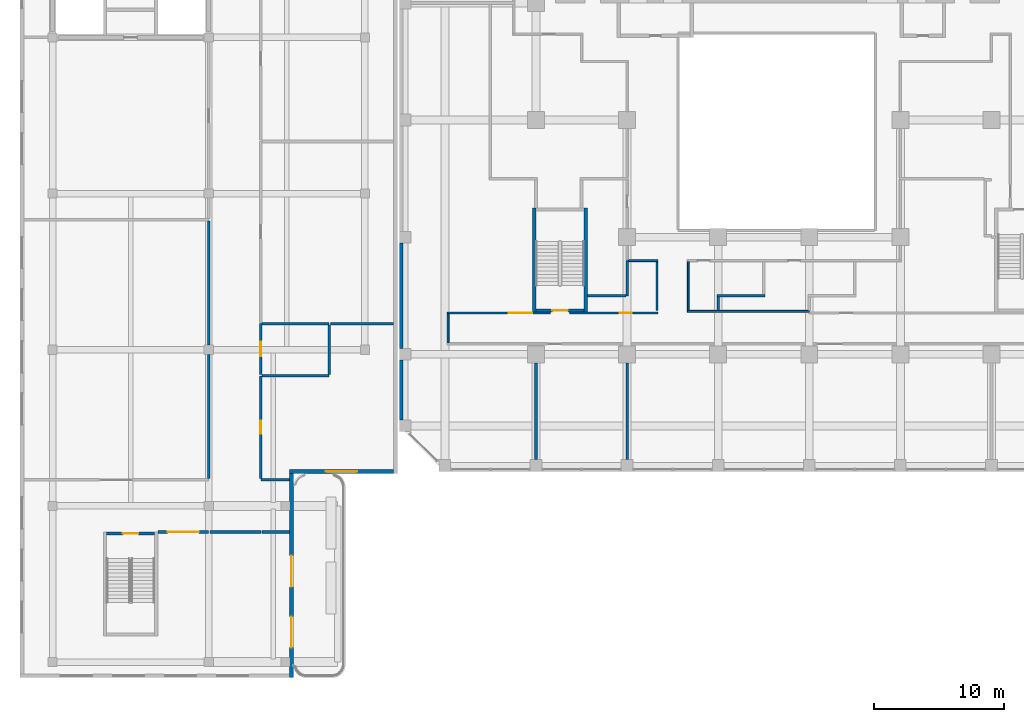
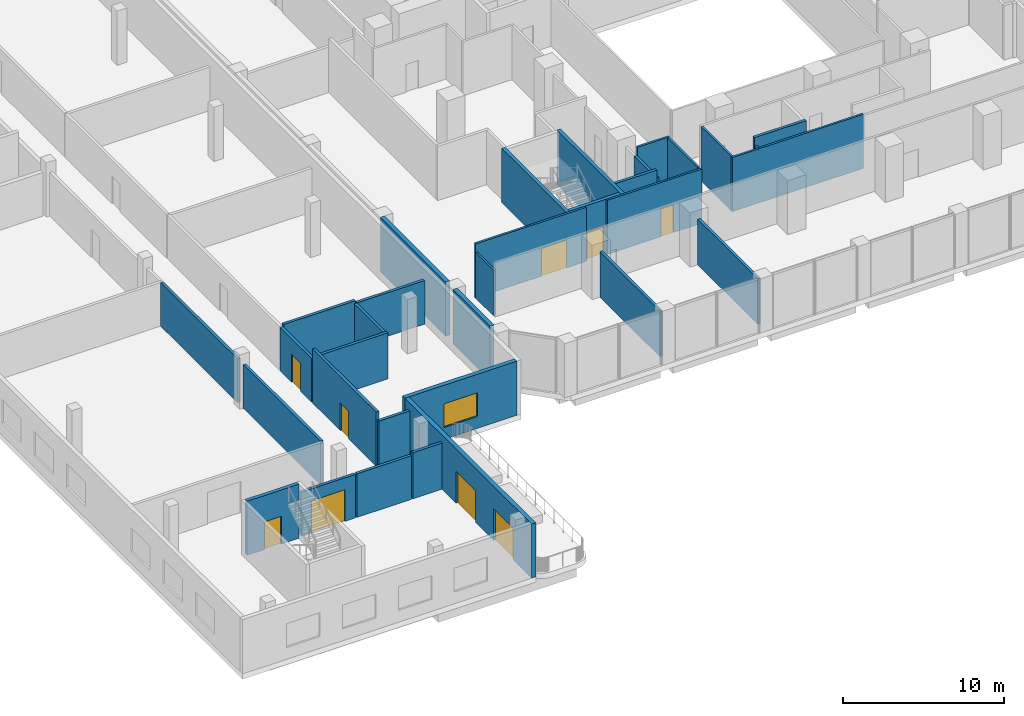
# One storey, part 13 of 36: 33 walls, 9 doors, 1 window, 10 openings.
"""IFC4 building model written with IfcOpenShell, lengths in metres."""

from ifc_helpers import new_model, si_unit, direction, frame, frame_2d, origin, place, context, subcontext, project, spatial, rectangle, extrude, source, transform, mapped, material, layer, layer_set, type_object, element, fill, save


model = new_model("IFC4")

# Units and contexts
model_context = context("Model", 3, precision=1e-05, world=origin(), true_north=direction((0.0, 1.0)))
body_context = subcontext(model_context, "Body", "Model", "MODEL_VIEW")
ifc_project = project(units=[si_unit("LENGTHUNIT", "METRE"), si_unit("AREAUNIT", "SQUARE_METRE"), si_unit("VOLUMEUNIT", "CUBIC_METRE"), si_unit("PLANEANGLEUNIT", "RADIAN"), si_unit("MASSUNIT", "GRAM", prefix="KILO")], contexts=[model_context])

# Site, building, storey
site_placement = place(None, origin())
site = spatial("IfcSite", under=ifc_project, at=site_placement, CompositionType="ELEMENT")
building_placement = place(site_placement, origin())
building = spatial("IfcBuilding", under=site, at=building_placement, Name="Kilnfold Tower and Market Hall", CompositionType="ELEMENT")
storey_placement = place(building_placement, frame((0.0, 0.0, 18.0)))
storey = spatial("IfcBuildingStorey", under=building, at=storey_placement, Name="L03", CompositionType="ELEMENT", Elevation=18.0)

# Wall
ifc_material_1 = material(Name="Gypsum board on steel studs", Category="steel")
ifc_layer_1 = layer(ifc_material_1, 0.14990234375)
ifc_layer_set_1 = layer_set([ifc_layer_1], Name="Gypsum board on steel studs")
wall_type_1 = type_object("IfcWallType", Name="WALL CORRIDOR 150", PredefinedType="PARTITIONING", material=ifc_layer_set_1)
wall_1_placement = place(storey_placement, frame((-24.25, -15.89990234375, 0.0), z_axis=(0.0, 0.0, 1.0), x_axis=(0.0, -1.0, 0.0)))
element("IfcWall", 1, at=wall_1_placement, inside=storey, type_object=wall_type_1, Name="Partition LY04.8", PredefinedType="PARTITIONING", context=body_context, shape_type="SweptSolid", body=[
    extrude(rectangle(XDim=2.22509765625, YDim=0.14990234375, at=frame_2d((1.112548828125, 0.0))), origin(), (0.0, 0.0, 1.0), 3.449951171875),
])

# Wall, opening, door
wall_2_placement = place(storey_placement, frame((-14.89990234375, -15.824951171875, 0.0), z_axis=(0.0, 0.0, 1.0), x_axis=(1.0, 0.0, 0.0)))
wall_2 = element("IfcWall", 2, at=wall_2_placement, inside=storey, type_object=wall_type_1, Name="Partition LY04.9", PredefinedType="PARTITIONING", context=body_context, shape_type="SweptSolid", body=[
    extrude(rectangle(XDim=6.77490234375, YDim=0.14990234375, at=frame_2d((3.387451171875, 0.0))), origin(), (0.0, 0.0, 1.0), 4.10009765625),
])
opening_1_placement = place(wall_2_placement, frame((3.841064453125, 0.0, 0.0)))
opening_1 = element("IfcOpeningElement", 3, at=opening_1_placement, cuts=wall_2, Name="Opening D2", PredefinedType="OPENING", context=body_context, shape_type="SweptSolid", body=[
    extrude(rectangle(XDim=0.89990234375, YDim=2.10009765625, at=frame_2d((0.449951171875, 1.050048828125))), frame((0.0, 0.0849609375, 0.0), z_axis=(0.0, -1.0, 0.0), x_axis=(1.0, 0.0, 0.0)), (0.0, 0.0, 1.0), 0.169921875),
])
ifc_material_2 = material(Name="Timber veneer door leaf in steel frame", Category="steel")
door_type_1 = type_object("IfcDoorType", Name="DOOR ROOM 900 X2100", OperationType="NOTDEFINED", PredefinedType="DOOR", material=ifc_material_2)
door_1_placement = place(opening_1_placement, origin())
door_1 = element("IfcDoor", 4, at=door_1_placement, inside=storey, type_object=door_type_1, Name="Door D2", OperationType="SINGLE_SWING_LEFT", OverallHeight=2.10009765625, OverallWidth=0.89990234375, PredefinedType="DOOR", context=body_context, shape_type="SweptSolid", body=[
    extrude(rectangle(XDim=0.89990234375, YDim=2.10009765625, at=frame_2d((0.449951171875, 1.050048828125))), frame((0.0, 0.02490234375, 0.0), z_axis=(0.0, -1.0, 0.0), x_axis=(1.0, 0.0, 0.0)), (0.0, 0.0, 1.0), 0.050048828125),
])
fill(opening_1, door_1)

wall_3_placement = place(storey_placement, frame((-24.324951171875, -15.824951171875, 0.0), z_axis=(0.0, 0.0, 1.0), x_axis=(1.0, 0.0, 0.0)))
wall_3 = element("IfcWall", 5, at=wall_3_placement, inside=storey, type_object=wall_type_1, Name="Partition LY04.10", PredefinedType="PARTITIONING", context=body_context, shape_type="SweptSolid", body=[
    extrude(rectangle(XDim=7.925048828125, YDim=0.14990234375, at=frame_2d((3.96240234375, 0.0))), origin(), (0.0, 0.0, 1.0), 4.10009765625),
])
opening_2_placement = place(wall_3_placement, frame((4.719970703125, 0.0, 0.0)))
opening_2 = element("IfcOpeningElement", 6, at=opening_2_placement, cuts=wall_3, Name="Opening D5", PredefinedType="OPENING", context=body_context, shape_type="SweptSolid", body=[
    extrude(rectangle(XDim=1.800048828125, YDim=2.10009765625, at=frame_2d((0.89990234375, 1.050048828125))), frame((0.0, 0.0849609375, 0.0), z_axis=(0.0, -1.0, 0.0), x_axis=(1.0, 0.0, 0.0)), (0.0, 0.0, 1.0), 0.169921875),
])
ifc_material_3 = material(Name="Timber veneer door leaf in steel frame", Category="steel")
door_type_2 = type_object("IfcDoorType", Name="DOOR DOUBLE 1800 X2100", OperationType="NOTDEFINED", PredefinedType="DOOR", material=ifc_material_3)
door_2_placement = place(opening_2_placement, origin())
door_2 = element("IfcDoor", 7, at=door_2_placement, inside=storey, type_object=door_type_2, Name="Door D5", OperationType="DOUBLE_DOOR_SINGLE_SWING", OverallHeight=2.10009765625, OverallWidth=1.800048828125, PredefinedType="DOOR", context=body_context, shape_type="SweptSolid", body=[
    extrude(rectangle(XDim=1.800048828125, YDim=2.10009765625, at=frame_2d((0.89990234375, 1.050048828125))), frame((0.0, 0.02490234375, 0.0), z_axis=(0.0, -1.0, 0.0), x_axis=(1.0, 0.0, 0.0)), (0.0, 0.0, 1.0), 0.050048828125),
])
fill(opening_2, door_2)

# Walls
wall_4_placement = place(storey_placement, frame((-8.199951171875, -11.875, 0.0), z_axis=(0.0, 0.0, 1.0), x_axis=(0.0, -1.0, 0.0)))
element("IfcWall", 8, at=wall_4_placement, inside=storey, type_object=wall_type_1, Name="Partition LY04.13", PredefinedType="PARTITIONING", context=body_context, shape_type="SweptSolid", body=[
    extrude(rectangle(XDim=3.75, YDim=0.14990234375, at=frame_2d((1.875, 0.0))), origin(), (0.0, 0.0, 1.0), 4.10009765625),
])
wall_5_placement = place(storey_placement, frame((-10.40087890625, -11.800048828125, 0.0), z_axis=(0.0, 0.0, 1.0), x_axis=(1.0, 0.0, 0.0)))
element("IfcWall", 9, at=wall_5_placement, inside=storey, type_object=wall_type_1, Name="Partition LY04.14", PredefinedType="PARTITIONING", context=body_context, shape_type="SweptSolid", body=[
    extrude(rectangle(XDim=2.27587890625, YDim=0.14990234375, at=frame_2d((1.137939453125, 0.0))), origin(), (0.0, 0.0, 1.0), 4.10009765625),
])
wall_6_placement = place(storey_placement, frame((-5.800048828125, -15.625, 0.0), z_axis=(0.0, 0.0, 1.0), x_axis=(0.0, 1.0, 0.0)))
element("IfcWall", 10, at=wall_6_placement, inside=storey, type_object=wall_type_1, Name="Partition LY04.16", PredefinedType="PARTITIONING", context=body_context, shape_type="SweptSolid", body=[
    extrude(rectangle(XDim=3.75, YDim=0.14990234375, at=frame_2d((1.875, 0.0))), origin(), (0.0, 0.0, 1.0), 4.10009765625),
])
wall_7_placement = place(storey_placement, frame((-5.875, -15.699951171875, 0.0), z_axis=(0.0, 0.0, 1.0), x_axis=(1.0, 0.0, 0.0)))
element("IfcWall", 11, at=wall_7_placement, inside=storey, type_object=wall_type_1, Name="Partition LY04.17", PredefinedType="PARTITIONING", context=body_context, shape_type="SweptSolid", body=[
    extrude(rectangle(XDim=9.385009765625, YDim=0.14990234375, at=frame_2d((4.6923828125, 0.0))), origin(), (0.0, 0.0, 1.0), 4.10009765625),
])
ifc_material_4 = material(Name="Gypsum board on steel studs", Category="steel")
ifc_layer_2 = layer(ifc_material_4, 0.199951171875)
ifc_layer_set_2 = layer_set([ifc_layer_2], Name="Gypsum board on steel studs")
wall_type_2 = type_object("IfcWallType", Name="WALL PARTY 200", PredefinedType="PARTITIONING", material=ifc_layer_set_2)
for number, where, z_axis, x_axis, name in (
    (12, (-10.5, -19.64990234375, 0.0), (0.0, 0.0, 1.0), (0.0, -1.0, 0.0), "Partition LY04.36"),
    (13, (-17.5, -27.10009765625, 0.0), (0.0, 0.0, 1.0), (0.0, 1.0, 0.0), "Partition LY04.43"),
):
    element("IfcWall", number, at=place(storey_placement, frame(where, z_axis=z_axis, x_axis=x_axis)), inside=storey, type_object=wall_type_2, Name=name, PredefinedType="PARTITIONING", context=body_context, shape_type="SweptSolid", body=[
        extrude(rectangle(XDim=7.4501953125, YDim=0.199951171875, at=frame_2d((3.72509765625, 0.0))), origin(), (0.0, 0.0, 1.0), 3.449951171875),
    ])
wall_8_placement = place(storey_placement, frame((-13.550048828125, -14.5, 0.0), z_axis=(0.0, 0.0, 1.0), x_axis=(1.0, 0.0, 0.0)))
element("IfcWall", 14, at=wall_8_placement, inside=storey, type_object=wall_type_2, Name="Partition LY04.45", PredefinedType="PARTITIONING", context=body_context, shape_type="SweptSolid", body=[
    extrude(rectangle(XDim=2.949951171875, YDim=0.199951171875, at=frame_2d((1.47509765625, 0.0))), origin(), (0.0, 0.0, 1.0), 4.10009765625),
])
wall_9_placement = place(storey_placement, frame((-10.5, -14.5, 0.0), z_axis=(0.0, 0.0, 1.0), x_axis=(-0.000360490243, 0.999999935023, 0.0)))
element("IfcWall", 15, at=wall_9_placement, inside=storey, type_object=wall_type_2, Name="Partition LY04.46", PredefinedType="PARTITIONING", context=body_context, shape_type="SweptSolid", body=[
    extrude(rectangle(XDim=2.708984375, YDim=0.199951171875, at=frame_2d((1.3544921875, 0.0))), origin(), (0.0, 0.0, 1.0), 3.449951171875),
])
wall_10_placement = place(storey_placement, frame((-3.60009765625, -14.5, 0.0), z_axis=(0.0, 0.0, 1.0), x_axis=(1.0, 0.0, 0.0)))
element("IfcWall", 16, at=wall_10_placement, inside=storey, type_object=wall_type_2, Name="Partition LY04.48", PredefinedType="PARTITIONING", context=body_context, shape_type="SweptSolid", body=[
    extrude(rectangle(XDim=3.7001953125, YDim=0.199951171875, at=frame_2d((1.85009765625, 0.0))), origin(), (0.0, 0.0, 1.0), 4.10009765625),
])
wall_11_placement = place(storey_placement, frame((-3.5, -15.6240234375, 0.0), z_axis=(0.0, 0.0, 1.0), x_axis=(0.0, 1.0, 0.0)))
element("IfcWall", 17, at=wall_11_placement, inside=storey, type_object=wall_type_2, Name="Partition LY04.49", PredefinedType="PARTITIONING", context=body_context, shape_type="SweptSolid", body=[
    extrude(rectangle(XDim=1.02392578125, YDim=0.199951171875, at=frame_2d((0.511962890625, 0.0))), origin(), (0.0, 0.0, 1.0), 3.449951171875),
])

# Wall, opening, door
ifc_material_5 = material(Name="Concrete C80", Category="concrete")
ifc_layer_3 = layer(ifc_material_5, 0.25)
ifc_layer_set_3 = layer_set([ifc_layer_3], Name="Concrete C80")
wall_type_3 = type_object("IfcWallType", Name="CORE WALL 250 C80", PredefinedType="SHEAR", material=ifc_layer_set_3)
shared_shape_1 = source(origin(), body_context, "Body", "SweptSolid", [
    extrude(rectangle(XDim=3.699951171875, YDim=0.25, at=frame_2d((1.85009765625, 0.0))), origin(), (0.0, 0.0, 1.0), 4.10009765625),
])
wall_12_placement = place(storey_placement, frame((-17.5, -15.625, 0.0), z_axis=(0.0, 0.0, 1.0), x_axis=(1.0, 0.0, 0.0)))
wall_12 = element("IfcWall", 18, at=wall_12_placement, inside=storey, type_object=wall_type_3, Name="Stair enclosure ST3", PredefinedType="SHEAR", context=body_context, shape_type="MappedRepresentation", body=[
    mapped(shared_shape_1, transform((0.0, 0.0, 0.0))),
])
opening_3_placement = place(wall_12_placement, frame((1.25, 0.0, 0.0)))
opening_3 = element("IfcOpeningElement", 19, at=opening_3_placement, cuts=wall_12, Name="Opening SD1", PredefinedType="OPENING", context=body_context, shape_type="SweptSolid", body=[
    extrude(rectangle(XDim=1.199951171875, YDim=2.10009765625, at=frame_2d((0.60009765625, 1.050048828125))), frame((0.0, 0.135009765625, 0.0), z_axis=(0.0, -1.0, 0.0), x_axis=(1.0, 0.0, 0.0)), (0.0, 0.0, 1.0), 0.27001953125),
])
ifc_material_6 = material(Name="Steel door set with fire-resisting leaf", Category="steel")
door_type_3 = type_object("IfcDoorType", Name="STAIR FLOOR DOOR 1200X2100", OperationType="NOTDEFINED", PredefinedType="DOOR", material=ifc_material_6)
door_3_placement = place(opening_3_placement, origin())
door_3 = element("IfcDoor", 20, at=door_3_placement, inside=storey, type_object=door_type_3, Name="Exit stair ST3 door", OperationType="DOUBLE_DOOR_SINGLE_SWING", OverallHeight=2.10009765625, OverallWidth=1.199951171875, PredefinedType="DOOR", context=body_context, shape_type="SweptSolid", body=[
    extrude(rectangle(XDim=1.199951171875, YDim=2.10009765625, at=frame_2d((0.60009765625, 1.050048828125))), frame((0.0, 0.02490234375, 0.0), z_axis=(0.0, -1.0, 0.0), x_axis=(1.0, 0.0, 0.0)), (0.0, 0.0, 1.0), 0.050048828125),
])
fill(opening_3, door_3)

ifc_material_7 = material(Name="Concrete C50/60", Category="concrete")
ifc_layer_4 = layer(ifc_material_7, 0.25)
ifc_layer_set_4 = layer_set([ifc_layer_4], Name="Concrete C50/60")
wall_type_4 = type_object("IfcWallType", Name="HALL CORE WALL 250", PredefinedType="SHEAR", material=ifc_layer_set_4)
wall_13_placement = place(storey_placement, frame((-50.5, -32.77490234375, 0.0), z_axis=(0.0, 0.0, 1.0), x_axis=(1.0, 0.0, 0.0)))
wall_13 = element("IfcWall", 21, at=wall_13_placement, inside=storey, type_object=wall_type_4, Name="Core wall MS1", PredefinedType="SHEAR", context=body_context, shape_type="MappedRepresentation", body=[
    mapped(shared_shape_1, transform((0.0, 0.0, 0.0))),
])
opening_4_placement = place(wall_13_placement, frame((1.25, 0.0, 0.0)))
opening_4 = element("IfcOpeningElement", 22, at=opening_4_placement, cuts=wall_13, Name="Opening MD9-60", PredefinedType="OPENING", context=body_context, shape_type="SweptSolid", body=[
    extrude(rectangle(XDim=1.199951171875, YDim=2.10009765625, at=frame_2d((0.60009765625, 1.050048828125))), frame((0.0, 0.135009765625, 0.0), z_axis=(0.0, -1.0, 0.0), x_axis=(1.0, 0.0, 0.0)), (0.0, 0.0, 1.0), 0.27001953125),
])
ifc_material_8 = material(Name="Steel S355", Category="steel")
door_type_4 = type_object("IfcDoorType", Name="HALL DOOR STAIR 1200X2100 FD60", OperationType="NOTDEFINED", PredefinedType="DOOR", material=ifc_material_8)
door_4_placement = place(opening_4_placement, origin())
door_4 = element("IfcDoor", 23, at=door_4_placement, inside=storey, type_object=door_type_4, Name="Door MD9-60", OperationType="DOUBLE_DOOR_SINGLE_SWING", OverallHeight=2.10009765625, OverallWidth=1.199951171875, PredefinedType="DOOR", context=body_context, shape_type="SweptSolid", body=[
    extrude(rectangle(XDim=1.199951171875, YDim=2.10009765625, at=frame_2d((0.60009765625, 1.050048828125))), frame((0.0, 0.02490234375, 0.0), z_axis=(0.0, -1.0, 0.0), x_axis=(1.0, 0.0, 0.0)), (0.0, 0.0, 1.0), 0.050048828125),
])
fill(opening_4, door_4)

# Walls
shared_shape_2 = source(origin(), body_context, "Body", "SweptSolid", [
    extrude(rectangle(XDim=8.0, YDim=0.25, at=frame_2d((4.0, 0.0))), origin(), (0.0, 0.0, 1.0), 4.10009765625),
])
for number, where, z_axis, x_axis, name in (
    (24, (-17.625, -15.75, 0.0), (0.0, 0.0, 1.0), (0.0, 1.0, 0.0), "Stair enclosure ST3"),
    (25, (-13.675048828125, -15.75, 0.0), (0.0, 0.0, 1.0), (0.0, 1.0, 0.0), "Stair enclosure ST3"),
):
    element("IfcWall", number, at=place(storey_placement, frame(where, z_axis=z_axis, x_axis=x_axis)), inside=storey, type_object=wall_type_3, Name=name, PredefinedType="SHEAR", context=body_context, shape_type="MappedRepresentation", body=[
        mapped(shared_shape_2, transform((0.0, 0.0, 0.0))),
    ])
ifc_material_9 = material(Name="Precast concrete C50/60", Category="concrete")
ifc_layer_5 = layer(ifc_material_9, 0.300048828125)
ifc_layer_set_5 = layer_set([ifc_layer_5], Name="Precast concrete C50/60")
wall_type_5 = type_object("IfcWallType", Name="PRECAST WALL 300", PredefinedType="SOLIDWALL", material=ifc_layer_set_5)
shared_shape_3 = source(origin(), body_context, "Body", "SweptSolid", [
    extrude(rectangle(XDim=8.10009765625, YDim=0.300048828125, at=frame_2d((4.050048828125, 0.0))), origin(), (0.0, 0.0, 1.0), 4.10009765625),
])
wall_14_placement = place(storey_placement, frame((-27.85009765625, -10.449951171875, 0.0), z_axis=(0.0, 0.0, 1.0), x_axis=(0.0, -1.0, 0.0)))
element("IfcWall", 26, at=wall_14_placement, inside=storey, type_object=wall_type_5, Name="Party wall L03 W", PredefinedType="SOLIDWALL", context=body_context, shape_type="MappedRepresentation", body=[
    mapped(shared_shape_3, transform((0.0, 0.0, 0.0))),
])
shared_shape_4 = source(origin(), body_context, "Body", "SweptSolid", [
    extrude(rectangle(XDim=4.60009765625, YDim=0.300048828125, at=frame_2d((2.300048828125, 0.0))), origin(), (0.0, 0.0, 1.0), 4.10009765625),
])
wall_15_placement = place(storey_placement, frame((-27.85009765625, -19.449951171875, 0.0), z_axis=(0.0, 0.0, 1.0), x_axis=(0.0, -1.0, 0.0)))
element("IfcWall", 27, at=wall_15_placement, inside=storey, type_object=wall_type_5, Name="Party wall L03 W", PredefinedType="SOLIDWALL", context=body_context, shape_type="MappedRepresentation", body=[
    mapped(shared_shape_4, transform((0.0, 0.0, 0.0))),
])

# Wall, openings, doors
ifc_material_10 = material(Name="Concrete blockwork", Category="masonry")
ifc_layer_6 = layer(ifc_material_10, 0.300048828125)
ifc_layer_set_6 = layer_set([ifc_layer_6], Name="Concrete blockwork")
wall_type_6 = type_object("IfcWallType", Name="HALL EXTERNAL WALL 300 EI 60", PredefinedType="SOLIDWALL", material=ifc_layer_set_6)
shared_shape_5 = source(origin(), body_context, "Body", "SweptSolid", [
    extrude(rectangle(XDim=15.7001953125, YDim=0.300048828125, at=frame_2d((7.85009765625, 0.0))), origin(), (0.0, 0.0, 1.0), 4.10009765625),
])
wall_16_placement = place(storey_placement, frame((-36.300048828125, -28.14990234375, 0.0), z_axis=(0.0, 0.0, 1.0), x_axis=(0.0, -1.0, 0.0)))
wall_16 = element("IfcWall", 28, at=wall_16_placement, inside=storey, type_object=wall_type_6, Name="External wall MEW-L03.9", PredefinedType="SOLIDWALL", context=body_context, shape_type="MappedRepresentation", body=[
    mapped(shared_shape_5, transform((0.0, 0.0, 0.0))),
])
opening_5_placement = place(wall_16_placement, frame((6.326416015625, 0.0, 0.0)))
opening_5 = element("IfcOpeningElement", 29, at=opening_5_placement, cuts=wall_16, Name="Opening MED2", PredefinedType="OPENING", context=body_context, shape_type="SweptSolid", body=[
    extrude(rectangle(XDim=2.39990234375, YDim=2.39990234375, at=frame_2d((1.199951171875, 1.199951171875))), frame((0.0, 0.16015625, 0.0), z_axis=(0.0, -1.0, 0.0), x_axis=(1.0, 0.0, 0.0)), (0.0, 0.0, 1.0), 0.320068359375),
])
opening_6_placement = place(wall_16_placement, frame((10.9970703125, 0.0, 0.0)))
opening_6 = element("IfcOpeningElement", 30, at=opening_6_placement, cuts=wall_16, Name="Opening MED2", PredefinedType="OPENING", context=body_context, shape_type="SweptSolid", body=[
    extrude(rectangle(XDim=2.39990234375, YDim=2.39990234375, at=frame_2d((1.199951171875, 1.199951171875))), frame((0.0, 0.16015625, 0.0), z_axis=(0.0, -1.0, 0.0), x_axis=(1.0, 0.0, 0.0)), (0.0, 0.0, 1.0), 0.320068359375),
])
ifc_material_11 = material(Name="Aluminium glazing", Category="aluminium")
door_type_5 = type_object("IfcDoorType", Name="DECK DOOR 2400X2400", OperationType="NOTDEFINED", PredefinedType="DOOR", material=ifc_material_11)
door_5_placement = place(opening_5_placement, origin())
door_5 = element("IfcDoor", 31, at=door_5_placement, inside=storey, type_object=door_type_5, Name="Terrace door MED2", OperationType="DOUBLE_DOOR_SINGLE_SWING", OverallHeight=2.39990234375, OverallWidth=2.39990234375, PredefinedType="DOOR", context=body_context, shape_type="SweptSolid", body=[
    extrude(rectangle(XDim=2.39990234375, YDim=2.39990234375, at=frame_2d((1.199951171875, 1.199951171875))), frame((0.0, 0.02490234375, 0.0), z_axis=(0.0, -1.0, 0.0), x_axis=(1.0, 0.0, 0.0)), (0.0, 0.0, 1.0), 0.050048828125),
])
fill(opening_5, door_5)
door_6_placement = place(opening_6_placement, origin())
door_6 = element("IfcDoor", 32, at=door_6_placement, inside=storey, type_object=door_type_5, Name="Terrace door MED2", OperationType="DOUBLE_DOOR_SINGLE_SWING", OverallHeight=2.39990234375, OverallWidth=2.39990234375, PredefinedType="DOOR", context=body_context, shape_type="SweptSolid", body=[
    extrude(rectangle(XDim=2.39990234375, YDim=2.39990234375, at=frame_2d((1.199951171875, 1.199951171875))), frame((0.0, 0.02490234375, 0.0), z_axis=(0.0, -1.0, 0.0), x_axis=(1.0, 0.0, 0.0)), (0.0, 0.0, 1.0), 0.050048828125),
])
fill(opening_6, door_6)

# Wall, opening, window
shared_shape_6 = source(origin(), body_context, "Body", "SweptSolid", [
    extrude(rectangle(XDim=8.0, YDim=0.300048828125, at=frame_2d((4.0, 0.0))), origin(), (0.0, 0.0, 1.0), 4.10009765625),
])
wall_17_placement = place(storey_placement, frame((-28.449951171875, -28.0, 0.0), z_axis=(0.0, 0.0, 1.0), x_axis=(-1.0, 0.0, 0.0)))
wall_17 = element("IfcWall", 33, at=wall_17_placement, inside=storey, type_object=wall_type_6, Name="External wall MEW-L03.8", PredefinedType="SOLIDWALL", context=body_context, shape_type="MappedRepresentation", body=[
    mapped(shared_shape_6, transform((0.0, 0.0, 0.0))),
])
opening_7_placement = place(wall_17_placement, frame((2.800048828125, 0.0, 0.89990234375)))
opening_7 = element("IfcOpeningElement", 34, at=opening_7_placement, cuts=wall_17, Name="Opening MEN3", PredefinedType="OPENING", context=body_context, shape_type="SweptSolid", body=[
    extrude(rectangle(XDim=2.39990234375, YDim=1.800048828125, at=frame_2d((1.199951171875, 0.89990234375))), frame((0.0, 0.16015625, 0.0), z_axis=(0.0, -1.0, 0.0), x_axis=(1.0, 0.0, 0.0)), (0.0, 0.0, 1.0), 0.320068359375),
])
ifc_material_12 = material(Name="Aluminium glazing", Category="aluminium")
window_type = type_object("IfcWindowType", Name="HALL WINDOW 2400X1800", PartitioningType="SINGLE_PANEL", PredefinedType="WINDOW", material=ifc_material_12)
window_placement = place(opening_7_placement, origin())
window = element("IfcWindow", 35, at=window_placement, inside=storey, type_object=window_type, Name="Window upper", OverallHeight=1.800048828125, OverallWidth=2.39990234375, PartitioningType="SINGLE_PANEL", PredefinedType="WINDOW", context=body_context, shape_type="SweptSolid", body=[
    extrude(rectangle(XDim=2.39990234375, YDim=1.800048828125, at=frame_2d((1.199951171875, 0.89990234375))), frame((0.0, 0.030029296875, 0.0), z_axis=(0.0, -1.0, 0.0), x_axis=(1.0, 0.0, 0.0)), (0.0, 0.0, 1.0), 0.06005859375),
])
fill(opening_7, window)

# Wall, opening, door
ifc_material_13 = material(Name="Concrete blockwork", Category="masonry")
ifc_layer_7 = layer(ifc_material_13, 0.199951171875)
ifc_layer_set_7 = layer_set([ifc_layer_7], Name="Concrete blockwork")
wall_type_7 = type_object("IfcWallType", Name="HALL PARTITION 200 EI 60", PredefinedType="PARTITIONING", material=ifc_layer_set_7)
shared_shape_7 = source(origin(), body_context, "Body", "SweptSolid", [
    extrude(rectangle(XDim=7.900146484375, YDim=0.199951171875, at=frame_2d((3.9501953125, 0.0))), origin(), (0.0, 0.0, 1.0), 4.10009765625),
])
wall_18_placement = place(storey_placement, frame((-38.64990234375, -20.64990234375, 0.0), z_axis=(0.0, 0.0, 1.0), x_axis=(0.0, -1.0, 0.0)))
wall_18 = element("IfcWall", 36, at=wall_18_placement, inside=storey, type_object=wall_type_7, Name="Partition W-MH-L03.18", PredefinedType="PARTITIONING", context=body_context, shape_type="MappedRepresentation", body=[
    mapped(shared_shape_7, transform((0.0, 0.0, 0.0))),
])
opening_8_placement = place(wall_18_placement, frame((3.449951171875, 0.0, 0.0)))
opening_8 = element("IfcOpeningElement", 37, at=opening_8_placement, cuts=wall_18, Name="Opening MD6-60", PredefinedType="OPENING", context=body_context, shape_type="SweptSolid", body=[
    extrude(rectangle(XDim=1.0, YDim=2.10009765625, at=frame_2d((0.5, 1.050048828125))), frame((0.0, 0.10986328125, 0.0), z_axis=(0.0, -1.0, 0.0), x_axis=(1.0, 0.0, 0.0)), (0.0, 0.0, 1.0), 0.219970703125),
])
ifc_material_14 = material(Name="Timber", Category="wood")
door_type_6 = type_object("IfcDoorType", Name="HALL DOOR WC 1000X2100 FD60", OperationType="NOTDEFINED", PredefinedType="DOOR", material=ifc_material_14)
door_7_placement = place(opening_8_placement, origin())
door_7 = element("IfcDoor", 38, at=door_7_placement, inside=storey, type_object=door_type_6, Name="Door MD6-60", OperationType="SINGLE_SWING_RIGHT", OverallHeight=2.10009765625, OverallWidth=1.0, PredefinedType="DOOR", context=body_context, shape_type="SweptSolid", body=[
    extrude(rectangle(XDim=1.0, YDim=2.10009765625, at=frame_2d((0.5, 1.050048828125))), frame((0.0, 0.02490234375, 0.0), z_axis=(0.0, -1.0, 0.0), x_axis=(1.0, 0.0, 0.0)), (0.0, 0.0, 1.0), 0.050048828125),
])
fill(opening_8, door_7)

# Walls
shared_shape_8 = source(origin(), body_context, "Body", "SweptSolid", [
    extrude(rectangle(XDim=5.150146484375, YDim=0.199951171875, at=frame_2d((2.5751953125, 0.0))), origin(), (0.0, 0.0, 1.0), 3.5),
])
for number, where, z_axis, x_axis, name in (
    (39, (-38.550048828125, -20.64990234375, 0.0), (0.0, 0.0, 1.0), (1.0, 0.0, 0.0), "Partition W-MH-L03.19"),
    (40, (-38.550048828125, -16.64990234375, 0.0), (0.0, 0.0, 1.0), (1.0, 0.0, 0.0), "Partition W-MH-L03.21"),
):
    element("IfcWall", number, at=place(storey_placement, frame(where, z_axis=z_axis, x_axis=x_axis)), inside=storey, type_object=wall_type_7, Name=name, PredefinedType="PARTITIONING", context=body_context, shape_type="MappedRepresentation", body=[
        mapped(shared_shape_8, transform((0.0, 0.0, 0.0))),
    ])

# Wall, opening, door
shared_shape_9 = source(origin(), body_context, "Body", "SweptSolid", [
    extrude(rectangle(XDim=3.900146484375, YDim=0.199951171875, at=frame_2d((1.9501953125, 0.0))), origin(), (0.0, 0.0, 1.0), 3.300048828125),
])
wall_19_placement = place(storey_placement, frame((-42.64990234375, -32.64990234375, 0.0), z_axis=(0.0, 0.0, 1.0), x_axis=(-1.0, 0.0, 0.0)))
wall_19 = element("IfcWall", 41, at=wall_19_placement, inside=storey, type_object=wall_type_7, Name="Partition W-MH-L03.6", PredefinedType="PARTITIONING", context=body_context, shape_type="MappedRepresentation", body=[
    mapped(shared_shape_9, transform((0.0, 0.0, 0.0))),
])
opening_9_placement = place(wall_19_placement, frame((0.75, 0.0, 0.0)))
opening_9 = element("IfcOpeningElement", 42, at=opening_9_placement, cuts=wall_19, Name="Opening MD7-60", PredefinedType="OPENING", context=body_context, shape_type="SweptSolid", body=[
    extrude(rectangle(XDim=2.39990234375, YDim=2.39990234375, at=frame_2d((1.199951171875, 1.199951171875))), frame((0.0, 0.10986328125, 0.0), z_axis=(0.0, -1.0, 0.0), x_axis=(1.0, 0.0, 0.0)), (0.0, 0.0, 1.0), 0.219970703125),
])
ifc_material_15 = material(Name="Aluminium glazing", Category="aluminium")
door_type_7 = type_object("IfcDoorType", Name="HALL DOOR HALL 2400X2400 FD60", OperationType="NOTDEFINED", PredefinedType="DOOR", material=ifc_material_15)
door_8_placement = place(opening_9_placement, origin())
door_8 = element("IfcDoor", 43, at=door_8_placement, inside=storey, type_object=door_type_7, Name="Door MD7-60", OperationType="DOUBLE_DOOR_SINGLE_SWING", OverallHeight=2.39990234375, OverallWidth=2.39990234375, PredefinedType="DOOR", context=body_context, shape_type="SweptSolid", body=[
    extrude(rectangle(XDim=2.39990234375, YDim=2.39990234375, at=frame_2d((1.199951171875, 1.199951171875))), frame((0.0, 0.02490234375, 0.0), z_axis=(0.0, -1.0, 0.0), x_axis=(1.0, 0.0, 0.0)), (0.0, 0.0, 1.0), 0.050048828125),
])
fill(opening_9, door_8)

# Wall
wall_20_placement = place(storey_placement, frame((-38.64990234375, -32.64990234375, 0.0), z_axis=(0.0, 0.0, 1.0), x_axis=(-1.0, 0.0, 0.0)))
element("IfcWall", 44, at=wall_20_placement, inside=storey, type_object=wall_type_7, Name="Partition W-MH-L03.16", PredefinedType="PARTITIONING", context=body_context, shape_type="MappedRepresentation", body=[
    mapped(shared_shape_9, transform((0.0, 0.0, 0.0))),
])

# Wall, opening, door
wall_21_placement = place(storey_placement, frame((-38.64990234375, -16.64990234375, 0.0), z_axis=(0.0, 0.0, 1.0), x_axis=(0.0, -1.0, 0.0)))
wall_21 = element("IfcWall", 45, at=wall_21_placement, inside=storey, type_object=wall_type_7, Name="Partition W-MH-L03.20", PredefinedType="PARTITIONING", context=body_context, shape_type="MappedRepresentation", body=[
    mapped(shared_shape_9, transform((0.0, 0.0, 0.0))),
])
opening_10_placement = place(wall_21_placement, frame((1.39990234375, 0.0, 0.0)))
opening_10 = element("IfcOpeningElement", 46, at=opening_10_placement, cuts=wall_21, Name="Opening MD2-60", PredefinedType="OPENING", context=body_context, shape_type="SweptSolid", body=[
    extrude(rectangle(XDim=1.10009765625, YDim=2.10009765625, at=frame_2d((0.550048828125, 1.050048828125))), frame((0.0, 0.10986328125, 0.0), z_axis=(0.0, -1.0, 0.0), x_axis=(1.0, 0.0, 0.0)), (0.0, 0.0, 1.0), 0.219970703125),
])
ifc_material_16 = material(Name="Timber", Category="wood")
door_type_8 = type_object("IfcDoorType", Name="HALL DOOR AWC 1100X2100 FD60", OperationType="NOTDEFINED", PredefinedType="DOOR", material=ifc_material_16)
door_9_placement = place(opening_10_placement, origin())
door_9 = element("IfcDoor", 47, at=door_9_placement, inside=storey, type_object=door_type_8, Name="Door MD2-60", OperationType="SINGLE_SWING_LEFT", OverallHeight=2.10009765625, OverallWidth=1.10009765625, PredefinedType="DOOR", context=body_context, shape_type="SweptSolid", body=[
    extrude(rectangle(XDim=1.10009765625, YDim=2.10009765625, at=frame_2d((0.550048828125, 1.050048828125))), frame((0.0, 0.02490234375, 0.0), z_axis=(0.0, -1.0, 0.0), x_axis=(1.0, 0.0, 0.0)), (0.0, 0.0, 1.0), 0.050048828125),
])
fill(opening_10, door_9)

# Walls
shared_shape_10 = source(origin(), body_context, "Body", "SweptSolid", [
    extrude(rectangle(XDim=3.800048828125, YDim=0.199951171875, at=frame_2d((1.89990234375, 0.0))), origin(), (0.0, 0.0, 1.0), 3.300048828125),
])
wall_22_placement = place(storey_placement, frame((-33.39990234375, -20.550048828125, 0.0), z_axis=(0.0, 0.0, 1.0), x_axis=(0.0, 1.0, 0.0)))
element("IfcWall", 48, at=wall_22_placement, inside=storey, type_object=wall_type_7, Name="Partition W-MH-L03.30", PredefinedType="PARTITIONING", context=body_context, shape_type="MappedRepresentation", body=[
    mapped(shared_shape_10, transform((0.0, 0.0, 0.0))),
])
shared_shape_11 = source(origin(), body_context, "Body", "SweptSolid", [
    extrude(rectangle(XDim=4.85009765625, YDim=0.199951171875, at=frame_2d((2.425048828125, 0.0))), origin(), (0.0, 0.0, 1.0), 3.300048828125),
])
wall_23_placement = place(storey_placement, frame((-33.300048828125, -16.64990234375, 0.0), z_axis=(0.0, 0.0, 1.0), x_axis=(1.0, 0.0, 0.0)))
element("IfcWall", 49, at=wall_23_placement, inside=storey, type_object=wall_type_7, Name="Partition W-MH-L03.31", PredefinedType="PARTITIONING", context=body_context, shape_type="MappedRepresentation", body=[
    mapped(shared_shape_11, transform((0.0, 0.0, 0.0))),
])
shared_shape_12 = source(origin(), body_context, "Body", "SweptSolid", [
    extrude(rectangle(XDim=9.550048828125, YDim=0.199951171875, at=frame_2d((4.77490234375, 0.0))), origin(), (0.0, 0.0, 1.0), 3.300048828125),
])
for number, where, z_axis, x_axis, name in (
    (50, (-42.64990234375, -28.550048828125, 0.0), (0.0, 0.0, 1.0), (0.0, 1.0, 0.0), "Partition W-MH-L03.7"),
    (51, (-42.64990234375, -18.300048828125, 0.0), (0.0, 0.0, 1.0), (0.0, 1.0, 0.0), "Partition W-MH-L03.8"),
):
    element("IfcWall", number, at=place(storey_placement, frame(where, z_axis=z_axis, x_axis=x_axis)), inside=storey, type_object=wall_type_7, Name=name, PredefinedType="PARTITIONING", context=body_context, shape_type="MappedRepresentation", body=[
        mapped(shared_shape_12, transform((0.0, 0.0, 0.0))),
    ])
shared_shape_13 = source(origin(), body_context, "Body", "SweptSolid", [
    extrude(rectangle(XDim=2.199951171875, YDim=0.199951171875, at=frame_2d((1.10009765625, 0.0))), origin(), (0.0, 0.0, 1.0), 3.5),
])
wall_24_placement = place(storey_placement, frame((-38.64990234375, -28.64990234375, 0.0), z_axis=(0.0, 0.0, 1.0), x_axis=(1.0, 0.0, 0.0)))
element("IfcWall", 52, at=wall_24_placement, inside=storey, type_object=wall_type_7, Name="Partition W-MH-L03.17", PredefinedType="PARTITIONING", context=body_context, shape_type="MappedRepresentation", body=[
    mapped(shared_shape_13, transform((0.0, 0.0, 0.0))),
])
shared_shape_14 = source(origin(), body_context, "Body", "SweptSolid", [
    extrude(rectangle(XDim=2.10009765625, YDim=0.199951171875, at=frame_2d((1.050048828125, 0.0))), origin(), (0.0, 0.0, 1.0), 3.5),
])
wall_25_placement = place(storey_placement, frame((-36.449951171875, -32.64990234375, 0.0), z_axis=(0.0, 0.0, 1.0), x_axis=(-1.0, 0.0, 0.0)))
element("IfcWall", 53, at=wall_25_placement, inside=storey, type_object=wall_type_7, Name="Partition W-MH-L03.29", PredefinedType="PARTITIONING", context=body_context, shape_type="MappedRepresentation", body=[
    mapped(shared_shape_14, transform((0.0, 0.0, 0.0))),
])

save(model, "model.ifc")
